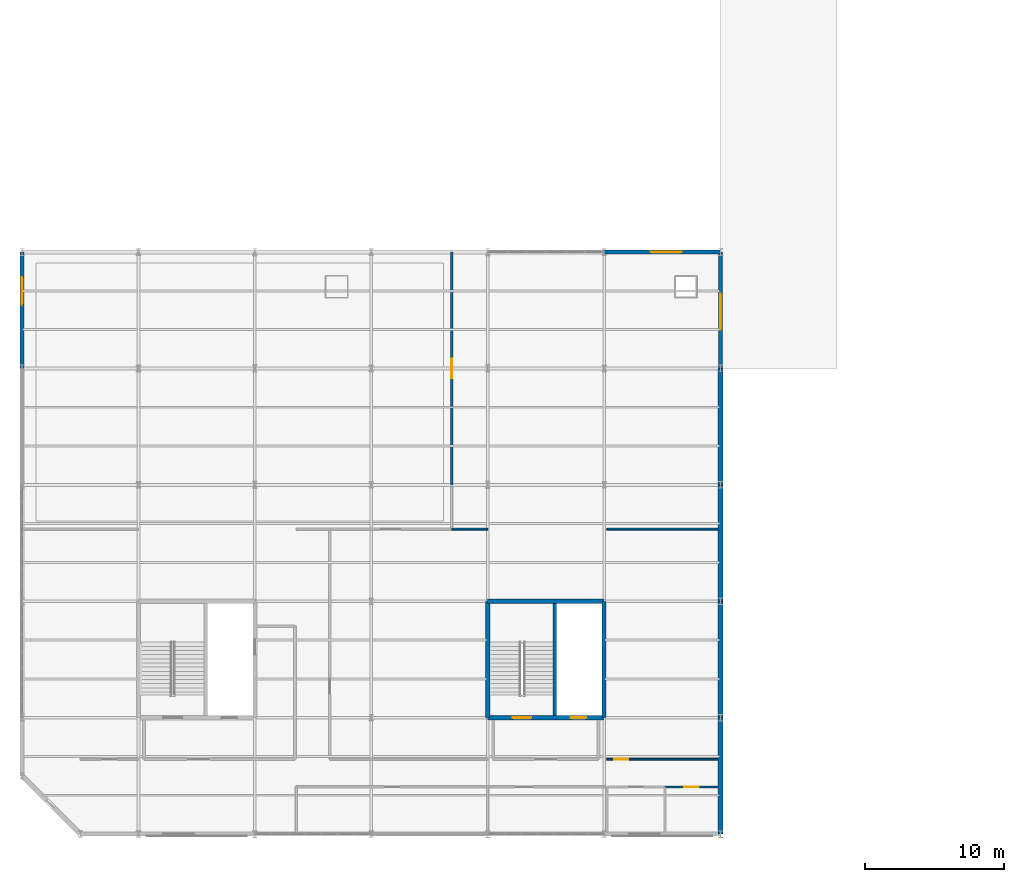
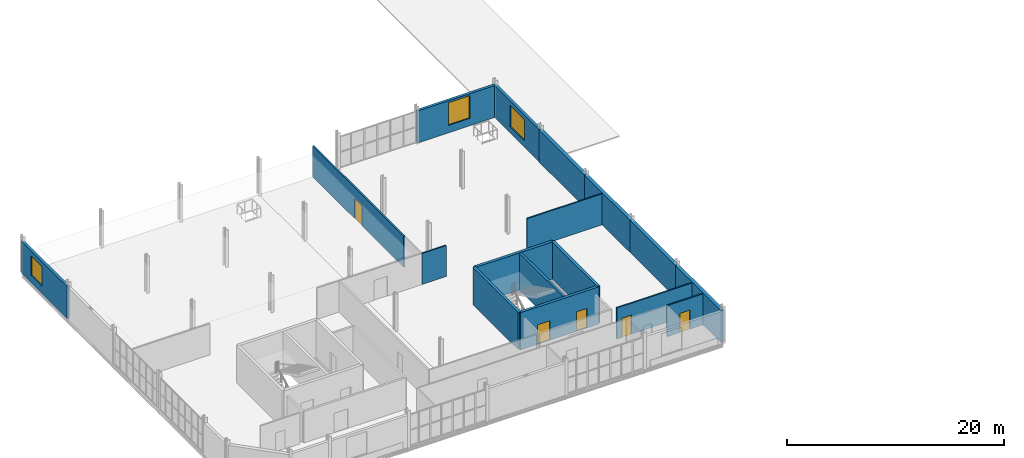
# One storey, part 47 of 69: 17 walls, 5 doors, 3 windows, 8 openings.
"""IFC4 building model written with IfcOpenShell, lengths in metres."""

from ifc_helpers import new_model, si_unit, direction, frame, frame_2d, origin, place, context, subcontext, project, spatial, rectangle, extrude, material, layer, layer_set, type_object, element, fill, save


model = new_model("IFC4")

# Units and contexts
model_context = context("Model", 3, precision=1e-05, world=origin(), true_north=direction((0.0, 1.0)))
body_context = subcontext(model_context, "Body", "Model", "MODEL_VIEW")
ifc_project = project(units=[si_unit("LENGTHUNIT", "METRE"), si_unit("AREAUNIT", "SQUARE_METRE"), si_unit("VOLUMEUNIT", "CUBIC_METRE"), si_unit("PLANEANGLEUNIT", "RADIAN"), si_unit("MASSUNIT", "GRAM", prefix="KILO")], contexts=[model_context])

# Site, building, storey
site_placement = place(None, origin())
site = spatial("IfcSite", under=ifc_project, at=site_placement, CompositionType="ELEMENT")
building_placement = place(site_placement, origin())
building = spatial("IfcBuilding", under=site, at=building_placement, Name="Qalvenar Corner Mobility Hub", CompositionType="ELEMENT")
storey_placement = place(building_placement, frame((0.0, 0.0, 13.199951171875)))
storey = spatial("IfcBuildingStorey", under=building, at=storey_placement, Name="L03", CompositionType="ELEMENT", Elevation=13.199951171875)

# Wall
ifc_material_1 = material(Name="Concrete C40/50", Category="concrete")
ifc_layer_1 = layer(ifc_material_1, 0.25)
ifc_layer_set_1 = layer_set([ifc_layer_1], Name="Concrete C40/50")
wall_type_1 = type_object("IfcWallType", Name="WL-CORE250", PredefinedType="SHEAR", material=ifc_layer_set_1)
wall_1_placement = place(storey_placement, frame((38.449951171875, 8.550048828125, 0.0), z_axis=(0.0, 0.0, 1.0), x_axis=(0.0, 1.0, 0.0)))
element("IfcWall", 1, at=wall_1_placement, inside=storey, type_object=wall_type_1, Name="Core Divider Wall C2-L03", PredefinedType="SHEAR", context=body_context, shape_type="SweptSolid", body=[
    extrude(rectangle(XDim=8.099853515625, YDim=0.25, at=frame_2d((4.0498046875, 0.0))), origin(), (0.0, 0.0, 1.0), 4.199951171875),
])

# Wall, openings, doors
ifc_layer_2 = layer(ifc_material_1, 0.300048828125)
ifc_layer_set_2 = layer_set([ifc_layer_2], Name="Concrete C40/50")
wall_type_2 = type_object("IfcWallType", Name="WL-CORE300", PredefinedType="SHEAR", material=ifc_layer_set_2)
wall_2_placement = place(storey_placement, frame((33.60009765625, 8.39990234375, 0.0), z_axis=(0.0, 0.0, 1.0), x_axis=(1.0, 0.0, 0.0)))
wall_2 = element("IfcWall", 2, at=wall_2_placement, inside=storey, type_object=wall_type_2, Name="Core Shear Wall C2-L03-S", PredefinedType="SHEAR", context=body_context, shape_type="SweptSolid", body=[
    extrude(rectangle(XDim=8.39990234375, YDim=0.300048828125, at=frame_2d((4.199951171875, 0.0))), origin(), (0.0, 0.0, 1.0), 4.199951171875),
])
opening_1_placement = place(wall_2_placement, frame((1.800048828125, 0.0, 0.0)))
opening_1 = element("IfcOpeningElement", 3, at=opening_1_placement, cuts=wall_2, Name="Opening DR-204", PredefinedType="OPENING", context=body_context, shape_type="SweptSolid", body=[
    extrude(rectangle(XDim=1.35009765625, YDim=2.199951171875, at=frame_2d((0.675048828125, 1.10009765625))), frame((0.0, 0.16015625, 0.0), z_axis=(0.0, -1.0, 0.0), x_axis=(1.0, 0.0, 0.0)), (0.0, 0.0, 1.0), 0.320068359375),
])
opening_2_placement = place(wall_2_placement, frame((6.0, 0.0, 0.0)))
opening_2 = element("IfcOpeningElement", 4, at=opening_2_placement, cuts=wall_2, Name="Opening DR-205", PredefinedType="OPENING", context=body_context, shape_type="SweptSolid", body=[
    extrude(rectangle(XDim=1.10009765625, YDim=2.199951171875, at=frame_2d((0.550048828125, 1.10009765625))), frame((0.0, 0.16015625, 0.0), z_axis=(0.0, -1.0, 0.0), x_axis=(1.0, 0.0, 0.0)), (0.0, 0.0, 1.0), 0.320068359375),
])
ifc_material_2 = material(Name="Stainless Steel Lift Landing Door", Category="steel")
door_type_1 = type_object("IfcDoorType", Name="DR-LIFT-110", OperationType="SLIDING_TO_LEFT", PredefinedType="DOOR", material=ifc_material_2)
door_1_placement = place(opening_2_placement, origin())
door_1 = element("IfcDoor", 5, at=door_1_placement, inside=storey, type_object=door_type_1, Name="DR-205 Lift Landing Door LF2-L03", OperationType="SLIDING_TO_LEFT", OverallHeight=2.199951171875, OverallWidth=1.10009765625, PredefinedType="DOOR", context=body_context, shape_type="SweptSolid", body=[
    extrude(rectangle(XDim=1.10009765625, YDim=2.199951171875, at=frame_2d((0.550048828125, 1.10009765625))), frame((0.0, 0.02490234375, 0.0), z_axis=(0.0, -1.0, 0.0), x_axis=(1.0, 0.0, 0.0)), (0.0, 0.0, 1.0), 0.050048828125),
])
fill(opening_2, door_1)
ifc_material_3 = material(Name="Fire-Rated Steel Stair Door FD90", Category="steel")
door_type_2 = type_object("IfcDoorType", Name="DR-STAIR-135", OperationType="NOTDEFINED", PredefinedType="DOOR", material=ifc_material_3)
door_2_placement = place(opening_1_placement, origin())
door_2 = element("IfcDoor", 6, at=door_2_placement, inside=storey, type_object=door_type_2, Name="DR-204 Stair Fire Door ST2-L03", OperationType="SINGLE_SWING_LEFT", OverallHeight=2.199951171875, OverallWidth=1.35009765625, PredefinedType="DOOR", context=body_context, shape_type="SweptSolid", body=[
    extrude(rectangle(XDim=1.35009765625, YDim=2.199951171875, at=frame_2d((0.675048828125, 1.10009765625))), frame((0.0, 0.02490234375, 0.0), z_axis=(0.0, -1.0, 0.0), x_axis=(1.0, 0.0, 0.0)), (0.0, 0.0, 1.0), 0.050048828125),
])
fill(opening_1, door_2)

# Walls
wall_3_placement = place(storey_placement, frame((42.0, 8.39990234375, 0.0), z_axis=(0.0, 0.0, 1.0), x_axis=(0.0, 1.0, 0.0)))
element("IfcWall", 7, at=wall_3_placement, inside=storey, type_object=wall_type_2, Name="Core Shear Wall C2-L03-E", PredefinedType="SHEAR", context=body_context, shape_type="SweptSolid", body=[
    extrude(rectangle(XDim=8.400146484375, YDim=0.300048828125, at=frame_2d((4.2001953125, 0.0))), origin(), (0.0, 0.0, 1.0), 4.199951171875),
])
wall_4_placement = place(storey_placement, frame((42.0, 16.800048828125, 0.0), z_axis=(0.0, 0.0, 1.0), x_axis=(-1.0, 0.0, 0.0)))
element("IfcWall", 8, at=wall_4_placement, inside=storey, type_object=wall_type_2, Name="Core Shear Wall C2-L03-N", PredefinedType="SHEAR", context=body_context, shape_type="SweptSolid", body=[
    extrude(rectangle(XDim=8.39990234375, YDim=0.300048828125, at=frame_2d((4.199951171875, 0.0))), origin(), (0.0, 0.0, 1.0), 4.199951171875),
])
wall_5_placement = place(storey_placement, frame((33.60009765625, 16.800048828125, 0.0), z_axis=(0.0, 0.0, 1.0), x_axis=(0.0, -1.0, 0.0)))
element("IfcWall", 9, at=wall_5_placement, inside=storey, type_object=wall_type_2, Name="Core Shear Wall C2-L03-W", PredefinedType="SHEAR", context=body_context, shape_type="SweptSolid", body=[
    extrude(rectangle(XDim=8.400146484375, YDim=0.300048828125, at=frame_2d((4.2001953125, 0.0))), origin(), (0.0, 0.0, 1.0), 4.199951171875),
])

# Wall, opening, window
ifc_material_4 = material(Name="Kashikari Glazed Faience Masonry", Category="masonry")
ifc_layer_3 = layer(ifc_material_4, 0.280029296875)
ifc_layer_set_3 = layer_set([ifc_layer_3], Name="Kashikari Glazed Faience Masonry")
wall_type_3 = type_object("IfcWallType", Name="WL-EXT-FAI280", PredefinedType="STANDARD", material=ifc_layer_set_3)
wall_6_placement = place(storey_placement, frame((0.0, 42.0, 0.0), z_axis=(0.0, 0.0, 1.0), x_axis=(0.0, -1.0, 0.0)))
wall_6 = element("IfcWall", 10, at=wall_6_placement, inside=storey, type_object=wall_type_3, Name="Exterior Facade Wall EW-V3-L03-034", PredefinedType="STANDARD", context=body_context, shape_type="SweptSolid", body=[
    extrude(rectangle(XDim=8.39990234375, YDim=0.280029296875, at=frame_2d((4.199951171875, 0.0))), origin(), (0.0, 0.0, 1.0), 3.6201171875),
])
opening_3_placement = place(wall_6_placement, frame((1.800048828125, 0.0, 0.85009765625)))
opening_3 = element("IfcOpeningElement", 11, at=opening_3_placement, cuts=wall_6, Name="Opening W-08", PredefinedType="OPENING", context=body_context, shape_type="SweptSolid", body=[
    extrude(rectangle(XDim=2.0, YDim=2.199951171875, at=frame_2d((1.0, 1.10009765625))), frame((0.0, 0.14990234375, 0.0), z_axis=(0.0, -1.0, 0.0), x_axis=(1.0, 0.0, 0.0)), (0.0, 0.0, 1.0), 0.300048828125),
])
ifc_material_5 = material(Name="Solar-Control Double-Glazed Bronze Window", Category="glass")
window_type_1 = type_object("IfcWindowType", Name="WN-CIV-200X220", PartitioningType="DOUBLE_PANEL_VERTICAL", PredefinedType="WINDOW", material=ifc_material_5)
window_1_placement = place(opening_3_placement, origin())
window_1 = element("IfcWindow", 12, at=window_1_placement, inside=storey, type_object=window_type_1, Name="Facade Window EW-V3-L03-034-W1", OverallHeight=2.199951171875, OverallWidth=2.0, PartitioningType="SINGLE_PANEL", PredefinedType="WINDOW", context=body_context, shape_type="SweptSolid", body=[
    extrude(rectangle(XDim=2.0, YDim=2.199951171875, at=frame_2d((1.0, 1.10009765625))), frame((0.0, 0.030029296875, 0.0), z_axis=(0.0, -1.0, 0.0), x_axis=(1.0, 0.0, 0.0)), (0.0, 0.0, 1.0), 0.06005859375),
])
fill(opening_3, window_1)

wall_7_placement = place(storey_placement, frame((50.39990234375, 42.0, 0.0), z_axis=(0.0, 0.0, 1.0), x_axis=(-1.0, 0.0, 0.0)))
wall_7 = element("IfcWall", 13, at=wall_7_placement, inside=storey, type_object=wall_type_3, Name="Exterior Facade Wall EW-V3-L03-035", PredefinedType="STANDARD", context=body_context, shape_type="SweptSolid", body=[
    extrude(rectangle(XDim=8.39990234375, YDim=0.280029296875, at=frame_2d((4.199951171875, 0.0))), origin(), (0.0, 0.0, 1.0), 3.6201171875),
])
opening_4_placement = place(wall_7_placement, frame((2.800048828125, 0.0, 0.85009765625)))
opening_4 = element("IfcOpeningElement", 14, at=opening_4_placement, cuts=wall_7, Name="Opening W-31", PredefinedType="OPENING", context=body_context, shape_type="SweptSolid", body=[
    extrude(rectangle(XDim=2.25, YDim=2.550048828125, at=frame_2d((1.125, 1.27490234375))), frame((0.0, 0.14990234375, 0.0), z_axis=(0.0, -1.0, 0.0), x_axis=(1.0, 0.0, 0.0)), (0.0, 0.0, 1.0), 0.300048828125),
])
window_type_2 = type_object("IfcWindowType", Name="WN-SPT-225X255", PartitioningType="TRIPLE_PANEL_VERTICAL", PredefinedType="WINDOW", material=ifc_material_5)
window_2_placement = place(opening_4_placement, origin())
window_2 = element("IfcWindow", 15, at=window_2_placement, inside=storey, type_object=window_type_2, Name="Facade Window EW-V3-L03-035-W1", OverallHeight=2.550048828125, OverallWidth=2.25, PartitioningType="SINGLE_PANEL", PredefinedType="WINDOW", context=body_context, shape_type="SweptSolid", body=[
    extrude(rectangle(XDim=2.25, YDim=2.550048828125, at=frame_2d((1.125, 1.27490234375))), frame((0.0, 0.030029296875, 0.0), z_axis=(0.0, -1.0, 0.0), x_axis=(1.0, 0.0, 0.0)), (0.0, 0.0, 1.0), 0.06005859375),
])
fill(opening_4, window_2)

wall_8_placement = place(storey_placement, frame((50.39990234375, 33.60009765625, 0.0), z_axis=(0.0, 0.0, 1.0), x_axis=(0.0, 1.0, 0.0)))
wall_8 = element("IfcWall", 16, at=wall_8_placement, inside=storey, type_object=wall_type_3, Name="Exterior Facade Wall EW-V3-L03-040", PredefinedType="STANDARD", context=body_context, shape_type="SweptSolid", body=[
    extrude(rectangle(XDim=8.39990234375, YDim=0.280029296875, at=frame_2d((4.199951171875, 0.0))), origin(), (0.0, 0.0, 1.0), 3.6201171875),
])
opening_5_placement = place(wall_8_placement, frame((2.800048828125, 0.0, 0.699951171875)))
opening_5 = element("IfcOpeningElement", 17, at=opening_5_placement, cuts=wall_8, Name="Opening W-11", PredefinedType="OPENING", context=body_context, shape_type="SweptSolid", body=[
    extrude(rectangle(XDim=2.60009765625, YDim=2.39990234375, at=frame_2d((1.300048828125, 1.199951171875))), frame((0.0, 0.14990234375, 0.0), z_axis=(0.0, -1.0, 0.0), x_axis=(1.0, 0.0, 0.0)), (0.0, 0.0, 1.0), 0.300048828125),
])
window_type_3 = type_object("IfcWindowType", Name="WN-CON-260X240", PartitioningType="TRIPLE_PANEL_VERTICAL", PredefinedType="WINDOW", material=ifc_material_5)
window_3_placement = place(opening_5_placement, origin())
window_3 = element("IfcWindow", 18, at=window_3_placement, inside=storey, type_object=window_type_3, Name="Facade Window EW-V3-L03-040-W1", OverallHeight=2.39990234375, OverallWidth=2.60009765625, PartitioningType="SINGLE_PANEL", PredefinedType="WINDOW", context=body_context, shape_type="SweptSolid", body=[
    extrude(rectangle(XDim=2.60009765625, YDim=2.39990234375, at=frame_2d((1.300048828125, 1.199951171875))), frame((0.0, 0.030029296875, 0.0), z_axis=(0.0, -1.0, 0.0), x_axis=(1.0, 0.0, 0.0)), (0.0, 0.0, 1.0), 0.06005859375),
])
fill(opening_5, window_3)

# Walls
ifc_material_6 = material(Name="Red Sandstone Ashlar Masonry", Category="masonry")
ifc_layer_4 = layer(ifc_material_6, 0.360107421875)
ifc_layer_set_4 = layer_set([ifc_layer_4], Name="Red Sandstone Ashlar Masonry")
wall_type_4 = type_object("IfcWallType", Name="WL-EXT-SAND360", PredefinedType="STANDARD", material=ifc_layer_set_4)
wall_9_placement = place(storey_placement, frame((50.39990234375, 0.0, 0.0), z_axis=(0.0, 0.0, 1.0), x_axis=(0.0, 1.0, 0.0)))
element("IfcWall", 19, at=wall_9_placement, inside=storey, type_object=wall_type_4, Name="Exterior Facade Wall EW-V3-L03-036", PredefinedType="STANDARD", context=body_context, shape_type="SweptSolid", body=[
    extrude(rectangle(XDim=8.39990234375, YDim=0.360107421875, at=frame_2d((4.199951171875, 0.0))), origin(), (0.0, 0.0, 1.0), 3.6201171875),
])
wall_10_placement = place(storey_placement, frame((50.39990234375, 8.39990234375, 0.0), z_axis=(0.0, 0.0, 1.0), x_axis=(0.0, 1.0, 0.0)))
element("IfcWall", 20, at=wall_10_placement, inside=storey, type_object=wall_type_4, Name="Exterior Facade Wall EW-V3-L03-037", PredefinedType="STANDARD", context=body_context, shape_type="SweptSolid", body=[
    extrude(rectangle(XDim=8.400146484375, YDim=0.360107421875, at=frame_2d((4.2001953125, 0.0))), origin(), (0.0, 0.0, 1.0), 3.6201171875),
])
wall_11_placement = place(storey_placement, frame((50.39990234375, 16.800048828125, 0.0), z_axis=(0.0, 0.0, 1.0), x_axis=(0.0, 1.0, 0.0)))
element("IfcWall", 21, at=wall_11_placement, inside=storey, type_object=wall_type_4, Name="Exterior Facade Wall EW-V3-L03-038", PredefinedType="STANDARD", context=body_context, shape_type="SweptSolid", body=[
    extrude(rectangle(XDim=8.39990234375, YDim=0.360107421875, at=frame_2d((4.199951171875, 0.0))), origin(), (0.0, 0.0, 1.0), 3.6201171875),
])
wall_12_placement = place(storey_placement, frame((50.39990234375, 25.199951171875, 0.0), z_axis=(0.0, 0.0, 1.0), x_axis=(0.0, 1.0, 0.0)))
element("IfcWall", 22, at=wall_12_placement, inside=storey, type_object=wall_type_4, Name="Exterior Facade Wall EW-V3-L03-039", PredefinedType="STANDARD", context=body_context, shape_type="SweptSolid", body=[
    extrude(rectangle(XDim=8.400146484375, YDim=0.360107421875, at=frame_2d((4.2001953125, 0.0))), origin(), (0.0, 0.0, 1.0), 3.6201171875),
])

# Wall, opening, door
ifc_material_7 = material(Name="Acoustic Gypsum Stud Partition", Category="masonry")
ifc_layer_5 = layer(ifc_material_7, 0.139892578125)
ifc_layer_set_5 = layer_set([ifc_layer_5], Name="Acoustic Gypsum Stud Partition")
wall_type_5 = type_object("IfcWallType", Name="WL-INT140", PredefinedType="PARTITIONING", material=ifc_layer_set_5)
wall_13_placement = place(storey_placement, frame((42.199951171875, 5.39990234375, 0.0), z_axis=(0.0, 0.0, 1.0), x_axis=(1.0, 0.0, 0.0)))
wall_13 = element("IfcWall", 23, at=wall_13_placement, inside=storey, type_object=wall_type_5, Name="Interior Partition PRT-L03-007", PredefinedType="PARTITIONING", context=body_context, shape_type="SweptSolid", body=[
    extrude(rectangle(XDim=8.01513671875, YDim=0.139892578125, at=frame_2d((4.007568359375, 0.0))), origin(), (0.0, 0.0, 1.0), 3.5),
])
opening_6_placement = place(wall_13_placement, frame((0.550048828125, 0.0, 0.0)))
opening_6 = element("IfcOpeningElement", 24, at=opening_6_placement, cuts=wall_13, Name="Opening DR-222", PredefinedType="OPENING", context=body_context, shape_type="SweptSolid", body=[
    extrude(rectangle(XDim=1.0, YDim=2.14990234375, at=frame_2d((0.5, 1.074951171875))), frame((0.0, 0.080078125, 0.0), z_axis=(0.0, -1.0, 0.0), x_axis=(1.0, 0.0, 0.0)), (0.0, 0.0, 1.0), 0.159912109375),
])
ifc_material_8 = material(Name="Hardwood Teak Office Door FD30", Category="wood")
door_type_3 = type_object("IfcDoorType", Name="DR-INT-OFF100", OperationType="NOTDEFINED", PredefinedType="DOOR", material=ifc_material_8)
door_3_placement = place(opening_6_placement, origin())
door_3 = element("IfcDoor", 25, at=door_3_placement, inside=storey, type_object=door_type_3, Name="DR-222 ITS Telemetry and Fibre Equipment Room Door", OperationType="SINGLE_SWING_RIGHT", OverallHeight=2.14990234375, OverallWidth=1.0, PredefinedType="DOOR", context=body_context, shape_type="SweptSolid", body=[
    extrude(rectangle(XDim=1.0, YDim=2.14990234375, at=frame_2d((0.5, 1.074951171875))), frame((0.0, 0.02490234375, 0.0), z_axis=(0.0, -1.0, 0.0), x_axis=(1.0, 0.0, 0.0)), (0.0, 0.0, 1.0), 0.050048828125),
])
fill(opening_6, door_3)

# Walls
wall_14_placement = place(storey_placement, frame((31.0, 22.0, 0.0), z_axis=(0.0, 0.0, 1.0), x_axis=(1.0, 0.0, 0.0)))
element("IfcWall", 26, at=wall_14_placement, inside=storey, type_object=wall_type_5, Name="Interior Partition PRT-L03-011", PredefinedType="PARTITIONING", context=body_context, shape_type="SweptSolid", body=[
    extrude(rectangle(XDim=2.60009765625, YDim=0.139892578125, at=frame_2d((1.300048828125, 0.0))), origin(), (0.0, 0.0, 1.0), 3.5),
])
wall_15_placement = place(storey_placement, frame((42.199951171875, 22.0, 0.0), z_axis=(0.0, 0.0, 1.0), x_axis=(1.0, 0.0, 0.0)))
element("IfcWall", 27, at=wall_15_placement, inside=storey, type_object=wall_type_5, Name="Interior Partition PRT-L03-012", PredefinedType="PARTITIONING", context=body_context, shape_type="SweptSolid", body=[
    extrude(rectangle(XDim=8.01513671875, YDim=0.139892578125, at=frame_2d((4.007568359375, 0.0))), origin(), (0.0, 0.0, 1.0), 3.5),
])

# Wall, opening, door
ifc_material_9 = material(Name="Plastered Clay Brick Partition", Category="masonry")
ifc_layer_6 = layer(ifc_material_9, 0.159912109375)
ifc_layer_set_6 = layer_set([ifc_layer_6], Name="Plastered Clay Brick Partition")
wall_type_6 = type_object("IfcWallType", Name="WL-INT160", PredefinedType="PARTITIONING", material=ifc_layer_set_6)
wall_16_placement = place(storey_placement, frame((31.0, 25.199951171875, 0.0), z_axis=(0.0, 0.0, 1.0), x_axis=(0.0, 1.0, 0.0)))
wall_16 = element("IfcWall", 28, at=wall_16_placement, inside=storey, type_object=wall_type_6, Name="Interior Partition PRT-L03-016", PredefinedType="PARTITIONING", context=body_context, shape_type="SweptSolid", body=[
    extrude(rectangle(XDim=16.800048828125, YDim=0.159912109375, at=frame_2d((8.39990234375, 0.0))), origin(), (0.0, 0.0, 1.0), 3.5),
])
opening_7_placement = place(wall_16_placement, frame((7.699951171875, 0.0, 0.0)))
opening_7 = element("IfcOpeningElement", 29, at=opening_7_placement, cuts=wall_16, Name="Opening DR-225", PredefinedType="OPENING", context=body_context, shape_type="SweptSolid", body=[
    extrude(rectangle(XDim=1.39990234375, YDim=2.25, at=frame_2d((0.699951171875, 1.125))), frame((0.0, 0.08984375, 0.0), z_axis=(0.0, -1.0, 0.0), x_axis=(1.0, 0.0, 0.0)), (0.0, 0.0, 1.0), 0.179931640625),
])
ifc_material_10 = material(Name="Hardwood Teak Acoustic Double Door", Category="wood")
door_type_4 = type_object("IfcDoorType", Name="DR-INT-PUB140", OperationType="DOUBLE_DOOR_SINGLE_SWING", PredefinedType="DOOR", material=ifc_material_10)
door_4_placement = place(opening_7_placement, origin())
door_4 = element("IfcDoor", 30, at=door_4_placement, inside=storey, type_object=door_type_4, Name="DR-225 Network Incident Coordination Suite Door", OperationType="DOUBLE_DOOR_SINGLE_SWING", OverallHeight=2.25, OverallWidth=1.39990234375, PredefinedType="DOOR", context=body_context, shape_type="SweptSolid", body=[
    extrude(rectangle(XDim=1.39990234375, YDim=2.25, at=frame_2d((0.699951171875, 1.125))), frame((0.0, 0.02490234375, 0.0), z_axis=(0.0, -1.0, 0.0), x_axis=(1.0, 0.0, 0.0)), (0.0, 0.0, 1.0), 0.050048828125),
])
fill(opening_7, door_4)

ifc_material_11 = material(Name="Ceramic-Tiled Moisture-Resistant Partition", Category="masonry")
ifc_layer_7 = layer(ifc_material_11, 0.14990234375)
ifc_layer_set_7 = layer_set([ifc_layer_7], Name="Ceramic-Tiled Moisture-Resistant Partition")
wall_type_7 = type_object("IfcWallType", Name="WL-WET150", PredefinedType="PARTITIONING", material=ifc_layer_set_7)
wall_17_placement = place(storey_placement, frame((46.39990234375, 3.39990234375, 0.0), z_axis=(0.0, 0.0, 1.0), x_axis=(1.0, 0.0, 0.0)))
wall_17 = element("IfcWall", 31, at=wall_17_placement, inside=storey, type_object=wall_type_7, Name="Interior Partition PRT-L03-004", PredefinedType="PARTITIONING", context=body_context, shape_type="SweptSolid", body=[
    extrude(rectangle(XDim=3.815185546875, YDim=0.14990234375, at=frame_2d((1.90771484375, 0.0))), origin(), (0.0, 0.0, 1.0), 3.5),
])
opening_8_placement = place(wall_17_placement, frame((1.383056640625, 0.0, 0.0)))
opening_8 = element("IfcOpeningElement", 32, at=opening_8_placement, cuts=wall_17, Name="Opening DR-220", PredefinedType="OPENING", context=body_context, shape_type="SweptSolid", body=[
    extrude(rectangle(XDim=1.050048828125, YDim=2.14990234375, at=frame_2d((0.52490234375, 1.074951171875))), frame((0.0, 0.0849609375, 0.0), z_axis=(0.0, -1.0, 0.0), x_axis=(1.0, 0.0, 0.0)), (0.0, 0.0, 1.0), 0.169921875),
])
ifc_material_12 = material(Name="Accessible Wheelchair WC Door", Category="wood")
door_type_5 = type_object("IfcDoorType", Name="DR-INT-AWC105", OperationType="NOTDEFINED", PredefinedType="DOOR", material=ifc_material_12)
door_5_placement = place(opening_8_placement, origin())
door_5 = element("IfcDoor", 33, at=door_5_placement, inside=storey, type_object=door_type_5, Name="DR-220 Third Floor Accessible WC Door", OperationType="SINGLE_SWING_LEFT", OverallHeight=2.14990234375, OverallWidth=1.050048828125, PredefinedType="DOOR", context=body_context, shape_type="SweptSolid", body=[
    extrude(rectangle(XDim=1.050048828125, YDim=2.14990234375, at=frame_2d((0.52490234375, 1.074951171875))), frame((0.0, 0.02490234375, 0.0), z_axis=(0.0, -1.0, 0.0), x_axis=(1.0, 0.0, 0.0)), (0.0, 0.0, 1.0), 0.050048828125),
])
fill(opening_8, door_5)

save(model, "model.ifc")
